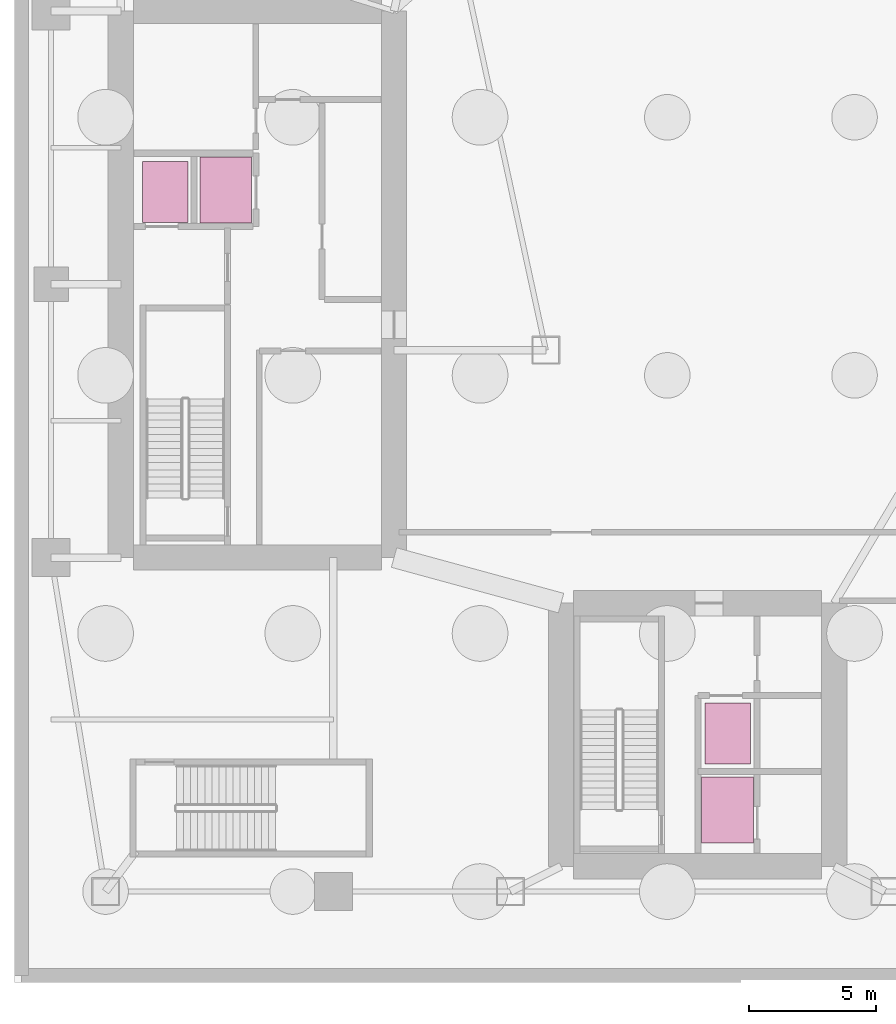
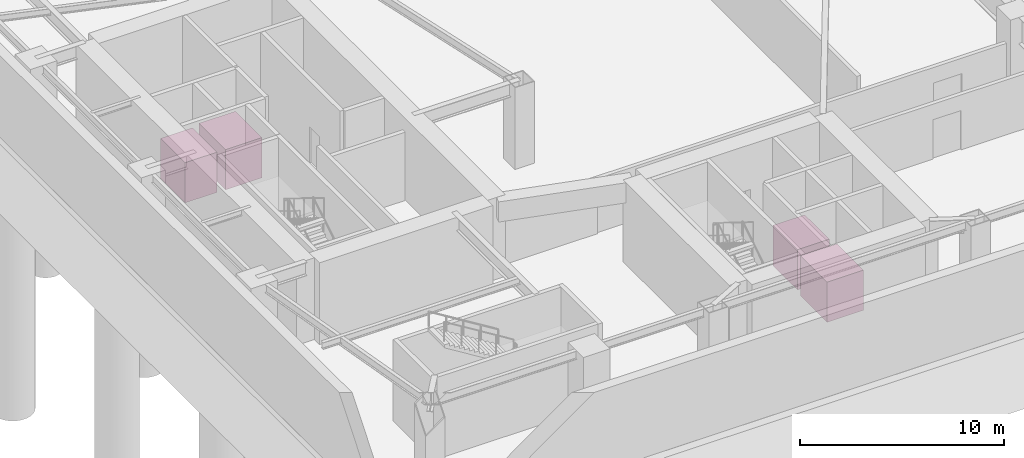
# One storey, part 12 of 12: 4 transport elements.
"""IFC4 building model written with IfcOpenShell, lengths in metres."""

from ifc_helpers import new_model, si_unit, direction, frame, origin, origin_2d, place, context, subcontext, project, spatial, rectangle, extrude, material, type_object, element, save


model = new_model("IFC4")

# Units and contexts
model_context = context("Model", 3, precision=1e-05, world=origin(), true_north=direction((0.0, 1.0)))
body_context = subcontext(model_context, "Body", "Model", "MODEL_VIEW")
ifc_project = project(units=[si_unit("LENGTHUNIT", "METRE"), si_unit("AREAUNIT", "SQUARE_METRE"), si_unit("VOLUMEUNIT", "CUBIC_METRE"), si_unit("PLANEANGLEUNIT", "RADIAN"), si_unit("MASSUNIT", "GRAM", prefix="KILO")], contexts=[model_context])

# Site, building, storey
site_placement = place(None, origin())
site = spatial("IfcSite", under=ifc_project, at=site_placement, CompositionType="ELEMENT")
building_placement = place(site_placement, origin())
building = spatial("IfcBuilding", under=site, at=building_placement, Name="Calvorn Quay Hotel", CompositionType="ELEMENT")
storey_placement = place(building_placement, frame((0.0, 0.0, -10.39990234375)))
storey = spatial("IfcBuildingStorey", under=building, at=storey_placement, Name="B2", CompositionType="ELEMENT", Elevation=-10.39990234375)

# Transport elements
ifc_material_1 = material(Name="Stainless Steel Elevator Cab", Category="steel")
transport_element_type_1 = type_object("IfcTransportElementType", Name="LFT-FIREFIGHT", PredefinedType="ELEVATOR", material=ifc_material_1)
for number, where, z_axis, x_axis, name in (
    (1, (5.949951171875, 31.25, 0.0), (0.0, 0.0, 1.0), (1.0, 0.0, 0.0), "Firefighting & Stretcher Lift FL-W1"),
    (2, (28.18505859375, 9.85009765625, 0.0), (0.0, 0.0, 1.0), (1.0, 0.0, 0.0), "Firefighting & Stretcher Lift FL-E1"),
):
    element("IfcTransportElement", number, at=place(storey_placement, frame(where, z_axis=z_axis, x_axis=x_axis)), inside=storey, type_object=transport_element_type_1, Name=name, PredefinedType="ELEVATOR", context=body_context, shape_type="SweptSolid", body=[
        extrude(rectangle(XDim=1.800048828125, YDim=2.39990234375, at=origin_2d()), origin(), (0.0, 0.0, 1.0), 2.39990234375),
    ])
ifc_material_2 = material(Name="Stainless Steel Elevator Cab", Category="steel")
transport_element_type_2 = type_object("IfcTransportElementType", Name="LFT-SERVICE-BOH", PredefinedType="ELEVATOR", material=ifc_material_2)
for number, where, z_axis, x_axis, name in (
    (3, (8.35009765625, 31.324951171875, 0.0), (0.0, 0.0, 1.0), (1.0, 0.0, 0.0), "Service / BOH Lift SL-W1"),
    (4, (28.18505859375, 6.824951171875, 0.0), (0.0, 0.0, 1.0), (1.0, 0.0, 0.0), "Service / BOH Lift SL-E1"),
):
    element("IfcTransportElement", number, at=place(storey_placement, frame(where, z_axis=z_axis, x_axis=x_axis)), inside=storey, type_object=transport_element_type_2, Name=name, PredefinedType="ELEVATOR", context=body_context, shape_type="SweptSolid", body=[
        extrude(rectangle(XDim=2.050048828125, YDim=2.60009765625, at=origin_2d()), origin(), (0.0, 0.0, 1.0), 2.39990234375),
    ])

save(model, "model.ifc")
